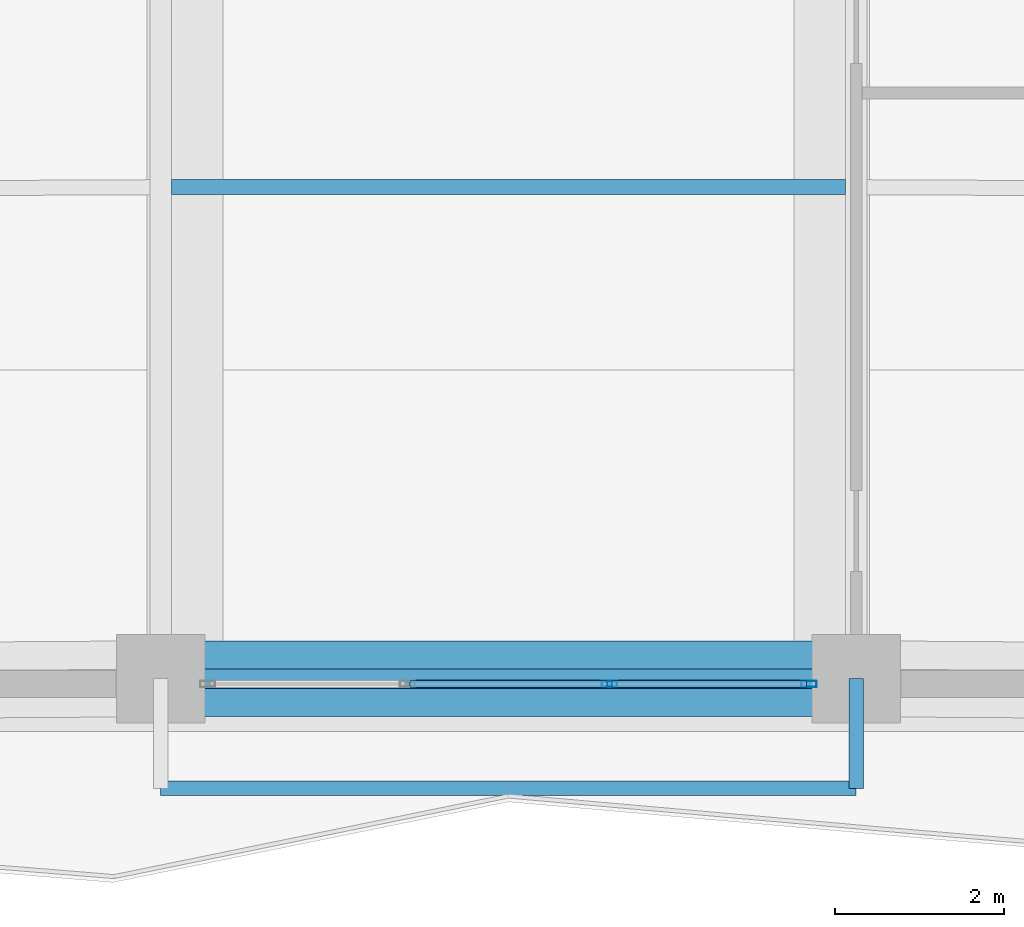
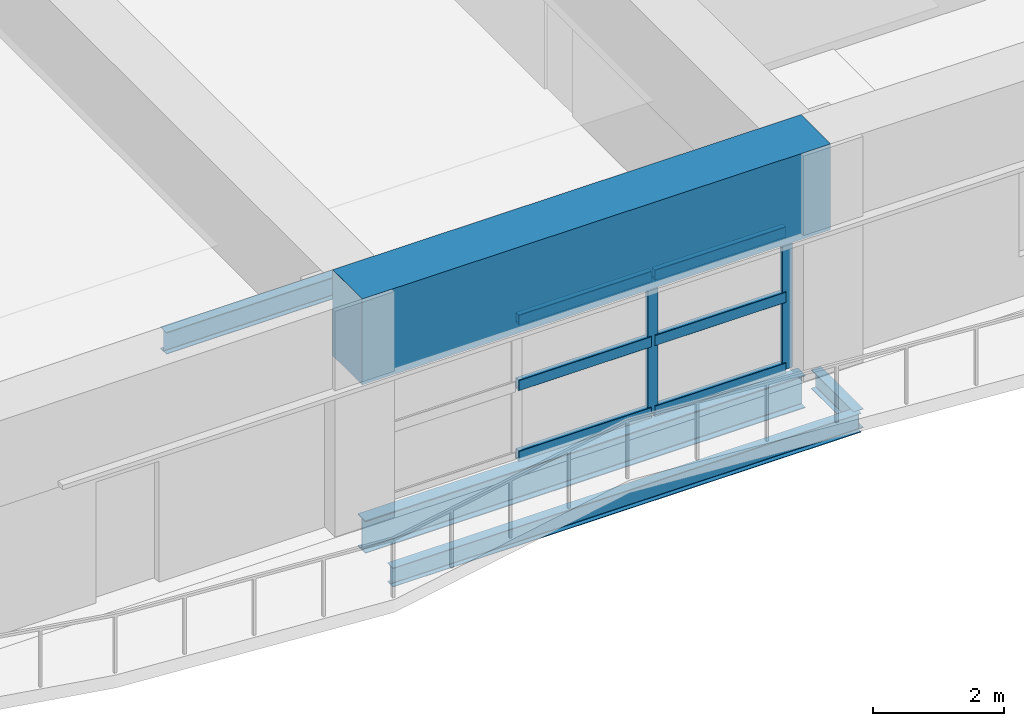
# One storey, part 5 of 23: 8 members, 5 beams, 1 element without a shape of its own.
"""IFC4 building model written with IfcOpenShell, lengths in metres."""

from ifc_helpers import new_model, si_unit, direction, frame, origin, origin_2d, place, context, subcontext, project, spatial, rectangle, hollow_rectangle, i_section, extrude, material, layer, layer_set, material_profile, profile_set, type_object, element, aggregate, save


model = new_model("IFC4")

# Units and contexts
model_context = context("Model", 3, precision=1e-05, world=origin(), true_north=direction((0.0, 1.0)))
body_context = subcontext(model_context, "Body", "Model", "MODEL_VIEW")
ifc_project = project(units=[si_unit("LENGTHUNIT", "METRE"), si_unit("AREAUNIT", "SQUARE_METRE"), si_unit("VOLUMEUNIT", "CUBIC_METRE"), si_unit("PLANEANGLEUNIT", "RADIAN"), si_unit("MASSUNIT", "GRAM", prefix="KILO")], contexts=[model_context])

# Site, building, storey
site_placement = place(None, origin())
site = spatial("IfcSite", under=ifc_project, at=site_placement, CompositionType="ELEMENT")
building_placement = place(site_placement, origin())
building = spatial("IfcBuilding", under=site, at=building_placement, Name="Cinnabar Lancet Tower", CompositionType="ELEMENT")
storey_placement = place(building_placement, frame((0.0, 0.0, 94.199951171875)))
storey = spatial("IfcBuildingStorey", under=building, at=storey_placement, Name="L24", CompositionType="ELEMENT", Elevation=94.199951171875)

# Curtain wall, members
ifc_material_1 = material(Name="Thermally broken bronze-anodized aluminium and low-E glass", Category="aluminium")
ifc_layer = layer(ifc_material_1, 0.179931640625)
ifc_layer_set = layer_set([ifc_layer], Name="Thermally broken bronze-anodized aluminium and low-E glass")
curtain_wall_type = type_object("IfcCurtainWallType", Name="ENV-CW-SYS-03", PredefinedType="NOTDEFINED", material=ifc_layer_set)
curtain_wall_placement = place(storey_placement, origin())
curtain_wall = element("IfcCurtainWall", 1, at=curtain_wall_placement, inside=storey, type_object=curtain_wall_type, Name="L24 Face 1 Feature Curtain Wall", PredefinedType="NOTDEFINED")
ifc_material_2 = material(Name="Anodized architectural aluminium 6063-T6", Category="aluminium")
ifc_material_profile_1 = material_profile(ifc_material_2, hollow_rectangle(XDim=0.074951171875, YDim=0.179931640625, WallThickness=0.00390625, InnerFilletRadius=0.001953125, OuterFilletRadius=0.006103515625, at=origin_2d()), Name="CW-MUL 180x75x4")
ifc_profile_set_1 = profile_set([ifc_material_profile_1], Name="Anodized architectural aluminium 6063-T6")
member_type_1 = type_object("IfcMemberType", Name="ENV-CW-MUL-180", PredefinedType="MULLION", material=ifc_profile_set_1)
member_1_placement = place(storey_placement, frame((33.59765625, 2.280029296875, 0.0), z_axis=(0.0, 0.0, 1.0), x_axis=(0.0, 1.0, 0.0)))
member_1 = element("IfcMember", 2, at=member_1_placement, type_object=member_type_1, Name="CW-03 mullion 3", PredefinedType="MULLION", context=body_context, shape_type="SweptSolid", body=[
    extrude(hollow_rectangle(XDim=0.074951171875, YDim=0.179931640625, WallThickness=0.00390625, InnerFilletRadius=0.001953125, OuterFilletRadius=0.006103515625, at=origin_2d()), origin(), (0.0, 0.0, 1.0), 2.590087890625),
])
member_2_placement = place(storey_placement, frame((35.962890625, 2.280029296875, 0.0), z_axis=(0.0, 0.0, 1.0), x_axis=(0.0, 1.0, 0.0)))
member_2 = element("IfcMember", 3, at=member_2_placement, type_object=member_type_1, Name="CW-03 mullion 4", PredefinedType="MULLION", context=body_context, shape_type="SweptSolid", body=[
    extrude(hollow_rectangle(XDim=0.074951171875, YDim=0.179931640625, WallThickness=0.00390625, InnerFilletRadius=0.001953125, OuterFilletRadius=0.006103515625, at=origin_2d()), origin(), (0.0, 0.0, 1.0), 2.590087890625),
])
ifc_material_3 = material(Name="Anodized architectural aluminium 6063-T6", Category="aluminium")
ifc_material_profile_2 = material_profile(ifc_material_3, hollow_rectangle(XDim=0.10009765625, YDim=0.199951171875, WallThickness=0.008056640625, InnerFilletRadius=0.00390625, OuterFilletRadius=0.011962890625, at=origin_2d()), Name="RHS 200x100x8")
ifc_profile_set_2 = profile_set([ifc_material_profile_2], Name="Anodized architectural aluminium 6063-T6")
member_type_2 = type_object("IfcMemberType", Name="ENV-CW-TRN-140", PredefinedType="USERDEFINED", material=ifc_profile_set_2)
member_3_placement = place(storey_placement, frame((31.232421875, 2.280029296875, 0.030029296875), z_axis=(1.0, 0.0, 0.0), x_axis=(0.0, 1.0, 0.0)))
member_3 = element("IfcMember", 4, at=member_3_placement, type_object=member_type_2, Name="CW-03 transom 2.1", ObjectType="TRANSOM", PredefinedType="USERDEFINED", context=body_context, shape_type="SweptSolid", body=[
    extrude(hollow_rectangle(XDim=0.10009765625, YDim=0.199951171875, WallThickness=0.008056640625, InnerFilletRadius=0.00390625, OuterFilletRadius=0.011962890625, at=origin_2d()), origin(), (0.0, 0.0, 1.0), 2.335205078125),
])
member_4_placement = place(storey_placement, frame((31.232421875, 2.280029296875, 1.34716796875), z_axis=(1.0, 0.0, 0.0), x_axis=(0.0, 1.0, 0.0)))
member_4 = element("IfcMember", 5, at=member_4_placement, type_object=member_type_2, Name="CW-03 transom 2.2", ObjectType="TRANSOM", PredefinedType="USERDEFINED", context=body_context, shape_type="SweptSolid", body=[
    extrude(hollow_rectangle(XDim=0.10009765625, YDim=0.199951171875, WallThickness=0.008056640625, InnerFilletRadius=0.00390625, OuterFilletRadius=0.011962890625, at=origin_2d()), origin(), (0.0, 0.0, 1.0), 2.335205078125),
])
member_5_placement = place(storey_placement, frame((31.232421875, 2.280029296875, 2.56005859375), z_axis=(1.0, 0.0, 0.0), x_axis=(0.0, 1.0, 0.0)))
member_5 = element("IfcMember", 6, at=member_5_placement, type_object=member_type_2, Name="CW-03 transom 2.3", ObjectType="TRANSOM", PredefinedType="USERDEFINED", context=body_context, shape_type="SweptSolid", body=[
    extrude(hollow_rectangle(XDim=0.10009765625, YDim=0.199951171875, WallThickness=0.008056640625, InnerFilletRadius=0.00390625, OuterFilletRadius=0.011962890625, at=origin_2d()), origin(), (0.0, 0.0, 1.0), 2.335205078125),
])
member_6_placement = place(storey_placement, frame((33.627685546875, 2.280029296875, 0.030029296875), z_axis=(1.0, 0.0, 0.0), x_axis=(0.0, 1.0, 0.0)))
member_6 = element("IfcMember", 7, at=member_6_placement, type_object=member_type_2, Name="CW-03 transom 3.1", ObjectType="TRANSOM", PredefinedType="USERDEFINED", context=body_context, shape_type="SweptSolid", body=[
    extrude(hollow_rectangle(XDim=0.10009765625, YDim=0.199951171875, WallThickness=0.008056640625, InnerFilletRadius=0.00390625, OuterFilletRadius=0.011962890625, at=origin_2d()), origin(), (0.0, 0.0, 1.0), 2.305419921875),
])
member_7_placement = place(storey_placement, frame((33.627685546875, 2.280029296875, 1.34716796875), z_axis=(1.0, 0.0, 0.0), x_axis=(0.0, 1.0, 0.0)))
member_7 = element("IfcMember", 8, at=member_7_placement, type_object=member_type_2, Name="CW-03 transom 3.2", ObjectType="TRANSOM", PredefinedType="USERDEFINED", context=body_context, shape_type="SweptSolid", body=[
    extrude(hollow_rectangle(XDim=0.10009765625, YDim=0.199951171875, WallThickness=0.008056640625, InnerFilletRadius=0.00390625, OuterFilletRadius=0.011962890625, at=origin_2d()), origin(), (0.0, 0.0, 1.0), 2.305419921875),
])
member_8_placement = place(storey_placement, frame((33.627685546875, 2.280029296875, 2.56005859375), z_axis=(1.0, 0.0, 0.0), x_axis=(0.0, 1.0, 0.0)))
member_8 = element("IfcMember", 9, at=member_8_placement, type_object=member_type_2, Name="CW-03 transom 3.3", ObjectType="TRANSOM", PredefinedType="USERDEFINED", context=body_context, shape_type="SweptSolid", body=[
    extrude(hollow_rectangle(XDim=0.10009765625, YDim=0.199951171875, WallThickness=0.008056640625, InnerFilletRadius=0.00390625, OuterFilletRadius=0.011962890625, at=origin_2d()), origin(), (0.0, 0.0, 1.0), 2.305419921875),
])
aggregate(curtain_wall, [member_1, member_2, member_3, member_4, member_5, member_6, member_7, member_8])

# Beams
ifc_material_4 = material(Name="Concrete C70/85", Category="concrete")
ifc_material_profile_3 = material_profile(ifc_material_4, rectangle(XDim=0.89990234375, YDim=1.60009765625, at=origin_2d()), Name="RC-BG 900x1600")
ifc_profile_set_3 = profile_set([ifc_material_profile_3], Name="Concrete C70/85")
beam_type_1 = type_object("IfcBeamType", Name="STR-BM-BG-1600", PredefinedType="BEAM", material=ifc_profile_set_3)
beam_1_placement = place(storey_placement, frame((28.278076171875, 2.342041015625, 3.400146484375), z_axis=(1.0, 0.0, 0.0), x_axis=(0.0, 1.0, 0.0)))
element("IfcBeam", 10, at=beam_1_placement, inside=storey, type_object=beam_type_1, Name="L25 Setback Outer Ring Girder 2", PredefinedType="BEAM", context=body_context, shape_type="SweptSolid", body=[
    extrude(rectangle(XDim=0.89990234375, YDim=1.60009765625, at=origin_2d()), origin(), (0.0, 0.0, 1.0), 8.243896484375),
])
ifc_material_5 = material(Name="Structural steel S355", Category="steel")
ifc_material_profile_4 = material_profile(ifc_material_5, i_section(OverallWidth=0.177978515625, OverallDepth=0.406494140625, WebThickness=0.0078125, FlangeThickness=0.0126953125, FilletRadius=0.01025390625, at=origin_2d()), Name="UKB 406x178x60")
ifc_profile_set_4 = profile_set([ifc_material_profile_4], Name="Structural steel S355")
beam_type_2 = type_object("IfcBeamType", Name="STR-BM-JST-406", PredefinedType="JOIST", material=ifc_profile_set_4)
beam_2_placement = place(storey_placement, frame((28.405029296875, 8.16796875, -0.4228515625), z_axis=(1.0, 0.0, 0.0), x_axis=(0.0, 1.0, 0.0)))
element("IfcBeam", 11, at=beam_2_placement, inside=storey, type_object=beam_type_2, Name="L24 Secondary Floor Joist 11", PredefinedType="JOIST", context=body_context, shape_type="SweptSolid", body=[
    extrude(i_section(OverallWidth=0.177978515625, OverallDepth=0.406494140625, WebThickness=0.0078125, FlangeThickness=0.0126953125, FilletRadius=0.01025390625, at=origin_2d()), origin(), (0.0, 0.0, 1.0), 7.989990234375),
])
ifc_material_6 = material(Name="Structural steel S355", Category="steel")
ifc_material_profile_5 = material_profile(ifc_material_6, i_section(OverallWidth=0.228271484375, OverallDepth=0.607666015625, WebThickness=0.010986328125, FlangeThickness=0.017333984375, FilletRadius=0.0126953125, at=origin_2d()), Name="UKB 610x229x113")
ifc_profile_set_5 = profile_set([ifc_material_profile_5], Name="Structural steel S355")
beam_type_3 = type_object("IfcBeamType", Name="STR-BM-SPN-610", PredefinedType="SPANDREL", material=ifc_profile_set_5)
beam_3_placement = place(storey_placement, frame((28.528076171875, 2.342041015625, -0.52392578125), z_axis=(1.0, 0.0, 0.0), x_axis=(0.0, 1.0, 0.0)))
element("IfcBeam", 12, at=beam_3_placement, inside=storey, type_object=beam_type_3, Name="L24 Perimeter Spandrel 2", PredefinedType="SPANDREL", context=body_context, shape_type="SweptSolid", body=[
    extrude(i_section(OverallWidth=0.228271484375, OverallDepth=0.607666015625, WebThickness=0.010986328125, FlangeThickness=0.017333984375, FilletRadius=0.0126953125, at=origin_2d()), origin(), (0.0, 0.0, 1.0), 7.743896484375),
])
ifc_material_7 = material(Name="Structural steel S355", Category="steel")
ifc_material_profile_6 = material_profile(ifc_material_7, i_section(OverallWidth=0.17138671875, OverallDepth=0.35498046875, WebThickness=0.00732421875, FlangeThickness=0.011474609375, FilletRadius=0.01025390625, at=origin_2d()), Name="UKB 356x171x51")
ifc_profile_set_6 = profile_set([ifc_material_profile_6], Name="Structural steel S355")
beam_type_4 = type_object("IfcBeamType", Name="STR-BM-WAV-OUT", PredefinedType="BEAM", material=ifc_profile_set_6)
beam_4_placement = place(storey_placement, frame((36.52197265625, 2.342041015625, -0.41796875), z_axis=(0.0, -1.0, 0.0), x_axis=(1.0, 0.0, 0.0)))
element("IfcBeam", 13, at=beam_4_placement, inside=storey, type_object=beam_type_4, Name="L24 Face 1 Balcony Outlooker B", PredefinedType="BEAM", context=body_context, shape_type="SweptSolid", body=[
    extrude(i_section(OverallWidth=0.17138671875, OverallDepth=0.35498046875, WebThickness=0.00732421875, FlangeThickness=0.011474609375, FilletRadius=0.01025390625, at=origin_2d()), origin(), (0.0, 0.0, 1.0), 1.300048828125),
])
ifc_material_8 = material(Name="Structural steel S355", Category="steel")
ifc_material_profile_7 = material_profile(ifc_material_8, i_section(OverallWidth=0.17138671875, OverallDepth=0.35498046875, WebThickness=0.00732421875, FlangeThickness=0.011474609375, FilletRadius=0.01025390625, at=origin_2d()), Name="UKB 356x171x51")
ifc_profile_set_7 = profile_set([ifc_material_profile_7], Name="Structural steel S355")
beam_type_5 = type_object("IfcBeamType", Name="STR-BM-WAV-TRIM", PredefinedType="SPANDREL", material=ifc_profile_set_7)
beam_5_placement = place(storey_placement, frame((28.278076171875, 1.0419921875, -0.41796875), z_axis=(1.0, 0.0, 0.0), x_axis=(0.0, 1.0, 0.0)))
element("IfcBeam", 14, at=beam_5_placement, inside=storey, type_object=beam_type_5, Name="L24 Face 1 Balcony Edge Trimmer", PredefinedType="SPANDREL", context=body_context, shape_type="SweptSolid", body=[
    extrude(i_section(OverallWidth=0.17138671875, OverallDepth=0.35498046875, WebThickness=0.00732421875, FlangeThickness=0.011474609375, FilletRadius=0.01025390625, at=origin_2d()), origin(), (0.0, 0.0, 1.0), 8.243896484375),
])

save(model, "model.ifc")
